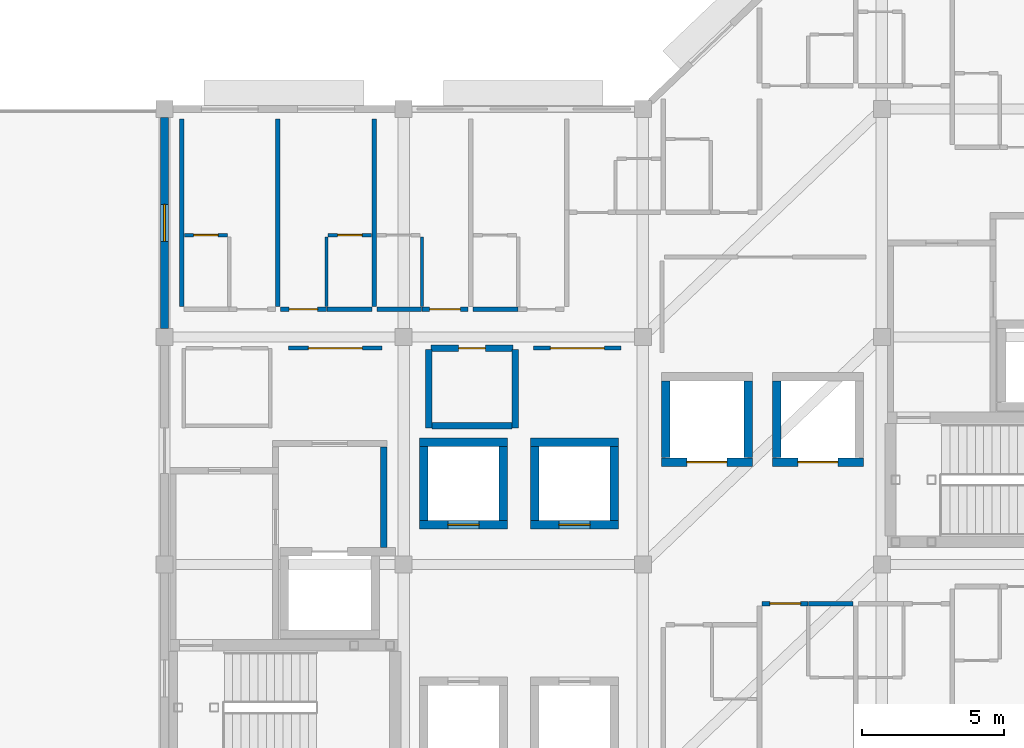
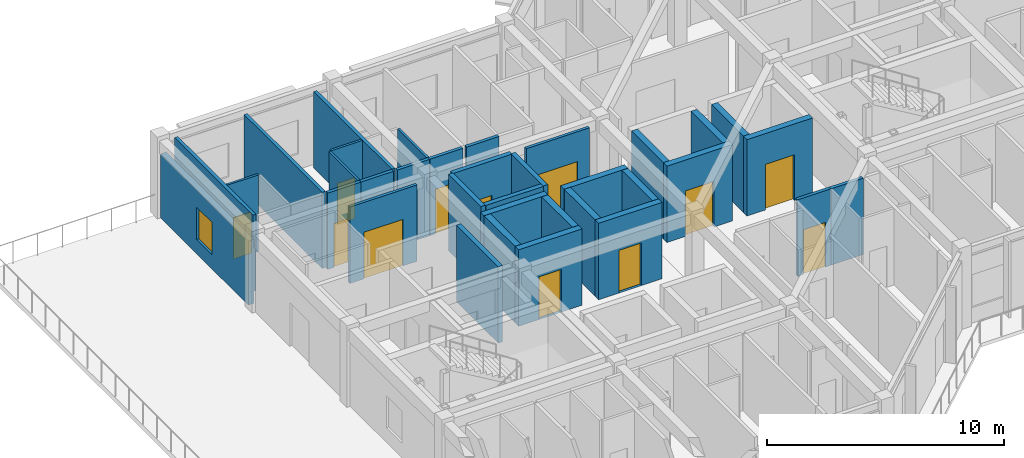
# One storey, part 6 of 13: 35 walls, 12 doors, 1 window, 13 openings.
"""IFC4 building model written with IfcOpenShell, lengths in metres."""

from ifc_helpers import new_model, si_unit, direction, frame, frame_2d, origin, place, context, subcontext, project, spatial, rectangle, extrude, material, layer, layer_set, type_object, element, fill, save


model = new_model("IFC4")

# Units and contexts
model_context = context("Model", 3, precision=1e-05, world=origin(), true_north=direction((0.0, 1.0)))
body_context = subcontext(model_context, "Body", "Model", "MODEL_VIEW")
ifc_project = project(units=[si_unit("LENGTHUNIT", "METRE"), si_unit("AREAUNIT", "SQUARE_METRE"), si_unit("VOLUMEUNIT", "CUBIC_METRE"), si_unit("PLANEANGLEUNIT", "RADIAN"), si_unit("MASSUNIT", "GRAM", prefix="KILO")], contexts=[model_context])

# Site, building, storey
site_placement = place(None, origin())
site = spatial("IfcSite", under=ifc_project, at=site_placement, CompositionType="ELEMENT")
building_placement = place(site_placement, origin())
building = spatial("IfcBuilding", under=site, at=building_placement, Name="Naruveol Harbour Congress Hotel", CompositionType="ELEMENT")
storey_placement = place(building_placement, frame((0.0, 0.0, 43.199951171875)))
storey = spatial("IfcBuildingStorey", under=building, at=storey_placement, Name="L10", CompositionType="ELEMENT", Elevation=43.199951171875)

# Wall, opening, door
ifc_material_1 = material(Name="Acoustic Double Stud Gypsum", Category="gypsum")
ifc_layer_1 = layer(ifc_material_1, 0.139892578125)
ifc_layer_set_1 = layer_set([ifc_layer_1], Name="Acoustic Double Stud Gypsum")
wall_type_1 = type_object("IfcWallType", Name="ACOUSTIC MEETING PARTITION WALL 140", PredefinedType="PARTITIONING", material=ifc_layer_set_1)
wall_1_placement = place(storey_placement, frame((138.9599609375, 23.60009765625, 0.0), z_axis=(0.0, 0.0, 1.0), x_axis=(1.0, 0.0, 0.0)))
wall_1 = element("IfcWall", 1, at=wall_1_placement, inside=storey, type_object=wall_type_1, Name="Diplomatic Sky Lounge north entry wall PW-140", PredefinedType="PARTITIONING", context=body_context, shape_type="SweptSolid", body=[
    extrude(rectangle(XDim=3.080078125, YDim=0.139892578125, at=frame_2d((1.5400390625, 0.0))), origin(), (0.0, 0.0, 1.0), 3.93505859375),
])
opening_1_placement = place(wall_1_placement, frame((0.590087890625, 0.0, 0.0)))
opening_1 = element("IfcOpeningElement", 2, at=opening_1_placement, cuts=wall_1, Name="Opening ID-LG-133", PredefinedType="OPENING", context=body_context, shape_type="SweptSolid", body=[
    extrude(rectangle(XDim=1.89990234375, YDim=2.39990234375, at=frame_2d((0.949951171875, 1.199951171875))), frame((0.0, 0.079833984375, 0.0), z_axis=(0.0, -1.0, 0.0), x_axis=(1.0, 0.0, 0.0)), (0.0, 0.0, 1.0), 0.159912109375),
])
ifc_material_2 = material(Name="Timber & Steel Acoustic Leaf", Category="steel")
door_type_1 = type_object("IfcDoorType", Name="RESTAURANT AND LOUNGE GLAZED DOOR 1900X2400", OperationType="DOUBLE_DOOR_SINGLE_SWING", PredefinedType="DOOR", material=ifc_material_2)
door_1_placement = place(opening_1_placement, origin())
door_1 = element("IfcDoor", 3, at=door_1_placement, inside=storey, type_object=door_type_1, Name="Diplomatic Sky Lounge Entrance Door", OperationType="DOUBLE_DOOR_SINGLE_SWING", OverallHeight=2.39990234375, OverallWidth=1.89990234375, PredefinedType="DOOR", context=body_context, shape_type="SweptSolid", body=[
    extrude(rectangle(XDim=1.89990234375, YDim=2.39990234375, at=frame_2d((0.949951171875, 1.199951171875))), frame((0.0, 0.02490234375, 0.0), z_axis=(0.0, -1.0, 0.0), x_axis=(1.0, 0.0, 0.0)), (0.0, 0.0, 1.0), 0.050048828125),
])
fill(opening_1, door_1)

wall_2_placement = place(storey_placement, frame((130.360107421875, 23.60009765625, 0.0), z_axis=(0.0, 0.0, 1.0), x_axis=(1.0, 0.0, 0.0)))
wall_2 = element("IfcWall", 4, at=wall_2_placement, inside=storey, type_object=wall_type_1, Name="Reading Salon north entry wall PW-140", PredefinedType="PARTITIONING", context=body_context, shape_type="SweptSolid", body=[
    extrude(rectangle(XDim=3.27978515625, YDim=0.139892578125, at=frame_2d((1.639892578125, 0.0))), origin(), (0.0, 0.0, 1.0), 3.93505859375),
])
opening_2_placement = place(wall_2_placement, frame((0.68994140625, 0.0, 0.0)))
opening_2 = element("IfcOpeningElement", 5, at=opening_2_placement, cuts=wall_2, Name="Opening ID-LG-134", PredefinedType="OPENING", context=body_context, shape_type="SweptSolid", body=[
    extrude(rectangle(XDim=1.89990234375, YDim=2.39990234375, at=frame_2d((0.949951171875, 1.199951171875))), frame((0.0, 0.079833984375, 0.0), z_axis=(0.0, -1.0, 0.0), x_axis=(1.0, 0.0, 0.0)), (0.0, 0.0, 1.0), 0.159912109375),
])
door_2_placement = place(opening_2_placement, origin())
door_2 = element("IfcDoor", 6, at=door_2_placement, inside=storey, type_object=door_type_1, Name="Reading Salon Entrance Door", OperationType="DOUBLE_DOOR_SINGLE_SWING", OverallHeight=2.39990234375, OverallWidth=1.89990234375, PredefinedType="DOOR", context=body_context, shape_type="SweptSolid", body=[
    extrude(rectangle(XDim=1.89990234375, YDim=2.39990234375, at=frame_2d((0.949951171875, 1.199951171875))), frame((0.0, 0.02490234375, 0.0), z_axis=(0.0, -1.0, 0.0), x_axis=(1.0, 0.0, 0.0)), (0.0, 0.0, 1.0), 0.050048828125),
])
fill(opening_2, door_2)

# Wall, opening, window
ifc_material_3 = material(Name="Precast concrete C40/50", Category="concrete")
ifc_layer_2 = layer(ifc_material_3, 0.280029296875)
ifc_layer_set_2 = layer_set([ifc_layer_2], Name="Precast concrete C40/50")
wall_type_2 = type_object("IfcWallType", Name="ARCHITECTURAL PRECAST FACADE WALL 280", PredefinedType="SOLIDWALL", material=ifc_layer_set_2)
wall_3_placement = place(storey_placement, frame((126.0, 24.300048828125, 0.0), z_axis=(0.0, 0.0, 1.0), x_axis=(0.0, 1.0, 0.0)))
wall_3 = element("IfcWall", 7, at=wall_3_placement, inside=storey, type_object=wall_type_2, Name="Hotel west gable wall L10 EW-280", PredefinedType="SOLIDWALL", context=body_context, shape_type="SweptSolid", body=[
    extrude(rectangle(XDim=7.39990234375, YDim=0.280029296875, at=frame_2d((3.699951171875, 0.0))), origin(), (0.0, 0.0, 1.0), 3.300048828125),
])
opening_3_placement = place(wall_3_placement, frame((3.050048828125, 0.0, 0.75)))
opening_3 = element("IfcOpeningElement", 8, at=opening_3_placement, cuts=wall_3, Name="Opening W-27", PredefinedType="OPENING", context=body_context, shape_type="SweptSolid", body=[
    extrude(rectangle(XDim=1.300048828125, YDim=1.64990234375, at=frame_2d((0.64990234375, 0.824951171875))), frame((0.0, 0.14990234375, 0.0), z_axis=(0.0, -1.0, 0.0), x_axis=(1.0, 0.0, 0.0)), (0.0, 0.0, 1.0), 0.300048828125),
])
ifc_material_4 = material(Name="Low-E Triple Glazing in Thermal Aluminium", Category="aluminium")
window_type = type_object("IfcWindowType", Name="READING SALON TALL WINDOW 1300X1650", PartitioningType="SINGLE_PANEL", PredefinedType="WINDOW", material=ifc_material_4)
window_placement = place(opening_3_placement, origin())
window = element("IfcWindow", 9, at=window_placement, inside=storey, type_object=window_type, Name="Window W-27 #504", OverallHeight=1.64990234375, OverallWidth=1.300048828125, PartitioningType="SINGLE_PANEL", PredefinedType="WINDOW", context=body_context, shape_type="SweptSolid", body=[
    extrude(rectangle(XDim=1.300048828125, YDim=1.64990234375, at=frame_2d((0.64990234375, 0.824951171875))), frame((0.0, 0.030029296875, 0.0), z_axis=(0.0, -1.0, 0.0), x_axis=(1.0, 0.0, 0.0)), (0.0, 0.0, 1.0), 0.06005859375),
])
fill(opening_3, window)

# Wall, opening, door
ifc_material_5 = material(Name="Moisture-Resistant Gypsum Partition", Category="gypsum")
ifc_layer_3 = layer(ifc_material_5, 0.114990234375)
ifc_layer_set_3 = layer_set([ifc_layer_3], Name="Moisture-Resistant Gypsum Partition")
wall_type_3 = type_object("IfcWallType", Name="BATHROOM MOISTURE PARTITION WALL 115", PredefinedType="PARTITIONING", material=ifc_layer_set_3)
wall_4_placement = place(storey_placement, frame((126.699951171875, 27.570068359375, 0.0), z_axis=(0.0, 0.0, 1.0), x_axis=(1.0, 0.0, 0.0)))
wall_4 = element("IfcWall", 10, at=wall_4_placement, inside=storey, type_object=wall_type_3, Name="Bathroom north wall 1193 PW-115", PredefinedType="PARTITIONING", context=body_context, shape_type="SweptSolid", body=[
    extrude(rectangle(XDim=1.510009765625, YDim=0.114990234375, at=frame_2d((0.7548828125, 0.0))), origin(), (0.0, 0.0, 1.0), 3.93505859375),
])
opening_4_placement = place(wall_4_placement, frame((0.324951171875, 0.0, 0.0)))
opening_4 = element("IfcOpeningElement", 11, at=opening_4_placement, cuts=wall_4, Name="Opening BD-RM1193", PredefinedType="OPENING", context=body_context, shape_type="SweptSolid", body=[
    extrude(rectangle(XDim=0.860107421875, YDim=2.1201171875, at=frame_2d((0.43017578125, 1.06005859375))), frame((0.0, 0.0673828125, 0.0), z_axis=(0.0, -1.0, 0.0), x_axis=(1.0, 0.0, 0.0)), (0.0, 0.0, 1.0), 0.135009765625),
])
ifc_material_6 = material(Name="Timber & Steel Acoustic Leaf", Category="steel")
door_type_2 = type_object("IfcDoorType", Name="GUEST BATHROOM DOOR 860X2120", OperationType="NOTDEFINED", PredefinedType="DOOR", material=ifc_material_6)
door_3_placement = place(opening_4_placement, origin())
door_3 = element("IfcDoor", 12, at=door_3_placement, inside=storey, type_object=door_type_2, Name="Bathroom Door 1193", OperationType="SINGLE_SWING_RIGHT", OverallHeight=2.1201171875, OverallWidth=0.860107421875, PredefinedType="DOOR", context=body_context, shape_type="SweptSolid", body=[
    extrude(rectangle(XDim=0.860107421875, YDim=2.1201171875, at=frame_2d((0.43017578125, 1.06005859375))), frame((0.0, 0.02490234375, 0.0), z_axis=(0.0, -1.0, 0.0), x_axis=(1.0, 0.0, 0.0)), (0.0, 0.0, 1.0), 0.050048828125),
])
fill(opening_4, door_3)

# Wall
wall_5_placement = place(storey_placement, frame((131.68994140625, 25.06005859375, 0.0), z_axis=(0.0, 0.0, 1.0), x_axis=(0.0, 1.0, 0.0)))
element("IfcWall", 13, at=wall_5_placement, inside=storey, type_object=wall_type_3, Name="Bathroom west wall 1194 PW-115", PredefinedType="PARTITIONING", context=body_context, shape_type="SweptSolid", body=[
    extrude(rectangle(XDim=2.449951171875, YDim=0.114990234375, at=frame_2d((1.22509765625, 0.0))), origin(), (0.0, 0.0, 1.0), 3.93505859375),
])

# Wall, opening, door
wall_6_placement = place(storey_placement, frame((131.75, 27.570068359375, 0.0), z_axis=(0.0, 0.0, 1.0), x_axis=(1.0, 0.0, 0.0)))
wall_6 = element("IfcWall", 14, at=wall_6_placement, inside=storey, type_object=wall_type_3, Name="Bathroom north wall 1194 PW-115", PredefinedType="PARTITIONING", context=body_context, shape_type="SweptSolid", body=[
    extrude(rectangle(XDim=1.52001953125, YDim=0.114990234375, at=frame_2d((0.760009765625, 0.0))), origin(), (0.0, 0.0, 1.0), 3.93505859375),
])
opening_5_placement = place(wall_6_placement, frame((0.330078125, 0.0, 0.0)))
opening_5 = element("IfcOpeningElement", 15, at=opening_5_placement, cuts=wall_6, Name="Opening BD-RM1194", PredefinedType="OPENING", context=body_context, shape_type="SweptSolid", body=[
    extrude(rectangle(XDim=0.860107421875, YDim=2.1201171875, at=frame_2d((0.43017578125, 1.06005859375))), frame((0.0, 0.0673828125, 0.0), z_axis=(0.0, -1.0, 0.0), x_axis=(1.0, 0.0, 0.0)), (0.0, 0.0, 1.0), 0.135009765625),
])
door_4_placement = place(opening_5_placement, origin())
door_4 = element("IfcDoor", 16, at=door_4_placement, inside=storey, type_object=door_type_2, Name="Bathroom Door 1194", OperationType="SINGLE_SWING_RIGHT", OverallHeight=2.1201171875, OverallWidth=0.860107421875, PredefinedType="DOOR", context=body_context, shape_type="SweptSolid", body=[
    extrude(rectangle(XDim=0.860107421875, YDim=2.1201171875, at=frame_2d((0.43017578125, 1.06005859375))), frame((0.0, 0.02490234375, 0.0), z_axis=(0.0, -1.0, 0.0), x_axis=(1.0, 0.0, 0.0)), (0.0, 0.0, 1.0), 0.050048828125),
])
fill(opening_5, door_4)

# Walls
wall_7_placement = place(storey_placement, frame((135.0400390625, 25.06005859375, 0.0), z_axis=(0.0, 0.0, 1.0), x_axis=(0.0, 1.0, 0.0)))
element("IfcWall", 17, at=wall_7_placement, inside=storey, type_object=wall_type_3, Name="Bathroom east wall 1195 PW-115", PredefinedType="PARTITIONING", context=body_context, shape_type="SweptSolid", body=[
    extrude(rectangle(XDim=2.449951171875, YDim=0.114990234375, at=frame_2d((1.22509765625, 0.0))), origin(), (0.0, 0.0, 1.0), 3.93505859375),
])
ifc_material_7 = material(Name="Concrete C40/50", Category="concrete")
ifc_layer_4 = layer(ifc_material_7, 0.219970703125)
ifc_layer_set_4 = layer_set([ifc_layer_4], Name="Concrete C40/50")
wall_type_4 = type_object("IfcWallType", Name="FIRE COMPARTMENT AND LOBBY WALL 220 EI120", PredefinedType="PARTITIONING", material=ifc_layer_set_4)
wall_8_placement = place(storey_placement, frame((133.699951171875, 16.60498046875, 0.0), z_axis=(0.0, 0.0, 1.0), x_axis=(0.0, 1.0, 0.0)))
element("IfcWall", 18, at=wall_8_placement, inside=storey, type_object=wall_type_4, Name="Firefighting lift lobby ST1 east wall FW-220", PredefinedType="PARTITIONING", context=body_context, shape_type="SweptSolid", body=[
    extrude(rectangle(XDim=3.530029296875, YDim=0.219970703125, at=frame_2d((1.76513671875, 0.0))), origin(), (0.0, 0.0, 1.0), 3.93505859375),
])

# Wall, opening, door
wall_9_placement = place(storey_placement, frame((135.360107421875, 23.60009765625, 0.0), z_axis=(0.0, 0.0, 1.0), x_axis=(1.0, 0.0, 0.0)))
wall_9 = element("IfcWall", 19, at=wall_9_placement, inside=storey, type_object=wall_type_4, Name="Housekeeping Pantry north entry wall FW-220", PredefinedType="PARTITIONING", context=body_context, shape_type="SweptSolid", body=[
    extrude(rectangle(XDim=2.8798828125, YDim=0.219970703125, at=frame_2d((1.43994140625, 0.0))), origin(), (0.0, 0.0, 1.0), 3.93505859375),
])
opening_6_placement = place(wall_9_placement, frame((0.969970703125, 0.0, 0.0)))
opening_6 = element("IfcOpeningElement", 20, at=opening_6_placement, cuts=wall_9, Name="Opening FD-ST-136", PredefinedType="OPENING", context=body_context, shape_type="SweptSolid", body=[
    extrude(rectangle(XDim=0.93994140625, YDim=2.14990234375, at=frame_2d((0.469970703125, 1.074951171875))), frame((0.0, 0.119873046875, 0.0), z_axis=(0.0, -1.0, 0.0), x_axis=(1.0, 0.0, 0.0)), (0.0, 0.0, 1.0), 0.239990234375),
])
ifc_material_8 = material(Name="Timber & Steel Acoustic Leaf", Category="steel")
door_type_3 = type_object("IfcDoorType", Name="HOUSEKEEPING AND STORE FIRE DOOR 940X2150", OperationType="NOTDEFINED", PredefinedType="DOOR", material=ifc_material_8)
door_5_placement = place(opening_6_placement, origin())
door_5 = element("IfcDoor", 21, at=door_5_placement, inside=storey, type_object=door_type_3, Name="Housekeeping Pantry Fire Door", OperationType="SINGLE_SWING_RIGHT", OverallHeight=2.14990234375, OverallWidth=0.93994140625, PredefinedType="DOOR", context=body_context, shape_type="SweptSolid", body=[
    extrude(rectangle(XDim=0.93994140625, YDim=2.14990234375, at=frame_2d((0.469970703125, 1.074951171875))), frame((0.0, 0.02490234375, 0.0), z_axis=(0.0, -1.0, 0.0), x_axis=(1.0, 0.0, 0.0)), (0.0, 0.0, 1.0), 0.050048828125),
])
fill(opening_6, door_5)

# Walls
for number, where, z_axis, x_axis, name in (
    (22, (135.280029296875, 20.800048828125, 0.0), (0.0, 0.0, 1.0), (0.0, 1.0, 0.0), "Housekeeping Pantry west enclosure partition FW-220"),
    (23, (138.320068359375, 20.800048828125, 0.0), (0.0, 0.0, 1.0), (0.0, 1.0, 0.0), "Housekeeping Pantry east enclosure partition FW-220"),
):
    element("IfcWall", number, at=place(storey_placement, frame(where, z_axis=z_axis, x_axis=x_axis)), inside=storey, type_object=wall_type_4, Name=name, PredefinedType="PARTITIONING", context=body_context, shape_type="SweptSolid", body=[
        extrude(rectangle(XDim=2.748046875, YDim=0.219970703125, at=frame_2d((1.3740234375, 0.0))), origin(), (0.0, 0.0, 1.0), 3.93505859375),
    ])
wall_10_placement = place(storey_placement, frame((135.389892578125, 20.8798828125, 0.0), z_axis=(0.0, 0.0, 1.0), x_axis=(1.0, 0.0, 0.0)))
element("IfcWall", 24, at=wall_10_placement, inside=storey, type_object=wall_type_4, Name="Housekeeping Pantry south enclosure partition FW-220", PredefinedType="PARTITIONING", context=body_context, shape_type="SweptSolid", body=[
    extrude(rectangle(XDim=2.820068359375, YDim=0.219970703125, at=frame_2d((1.41015625, 0.0))), origin(), (0.0, 0.0, 1.0), 3.93505859375),
])
ifc_material_9 = material(Name="Autoclaved Aerated Concrete Block", Category="concrete")
ifc_layer_5 = layer(ifc_material_9, 0.159912109375)
ifc_layer_set_5 = layer_set([ifc_layer_5], Name="Autoclaved Aerated Concrete Block")
wall_type_5 = type_object("IfcWallType", Name="HOTEL PARTY AND CORRIDOR WALL 160 EI60", PredefinedType="PARTITIONING", material=ifc_layer_set_5)
wall_11_placement = place(storey_placement, frame((126.60009765625, 25.06005859375, 0.0), z_axis=(0.0, 0.0, 1.0), x_axis=(0.0, 1.0, 0.0)))
element("IfcWall", 25, at=wall_11_placement, inside=storey, type_object=wall_type_5, Name="Hotel party wall 1193 PW-160", PredefinedType="PARTITIONING", context=body_context, shape_type="SweptSolid", body=[
    extrude(rectangle(XDim=6.599853515625, YDim=0.159912109375, at=frame_2d((3.2998046875, 0.0))), origin(), (0.0, 0.0, 1.0), 3.93505859375),
])

# Wall, opening, door
wall_12_placement = place(storey_placement, frame((130.070068359375, 24.969970703125, 0.0), z_axis=(0.0, 0.0, 1.0), x_axis=(1.0, 0.0, 0.0)))
wall_12 = element("IfcWall", 26, at=wall_12_placement, inside=storey, type_object=wall_type_5, Name="Corridor entry wall 1194 PW-160", PredefinedType="PARTITIONING", context=body_context, shape_type="SweptSolid", body=[
    extrude(rectangle(XDim=1.619873046875, YDim=0.159912109375, at=frame_2d((0.81005859375, 0.0))), origin(), (0.0, 0.0, 1.0), 3.93505859375),
])
opening_7_placement = place(wall_12_placement, frame((0.31005859375, 0.0, 0.0)))
opening_7 = element("IfcOpeningElement", 27, at=opening_7_placement, cuts=wall_12, Name="Opening FD-RM1194", PredefinedType="OPENING", context=body_context, shape_type="SweptSolid", body=[
    extrude(rectangle(XDim=1.0, YDim=2.25, at=frame_2d((0.5, 1.125))), frame((0.0, 0.08984375, 0.0), z_axis=(0.0, -1.0, 0.0), x_axis=(1.0, 0.0, 0.0)), (0.0, 0.0, 1.0), 0.179931640625),
])
ifc_material_10 = material(Name="Timber & Steel Acoustic Leaf", Category="steel")
door_type_4 = type_object("IfcDoorType", Name="DELUXE GUEST ENTRANCE FIRE DOOR 1000X2250", OperationType="NOTDEFINED", PredefinedType="DOOR", material=ifc_material_10)
door_6_placement = place(opening_7_placement, origin())
door_6 = element("IfcDoor", 28, at=door_6_placement, inside=storey, type_object=door_type_4, Name="Hotel Room Door 1194", OperationType="SINGLE_SWING_LEFT", OverallHeight=2.25, OverallWidth=1.0, PredefinedType="DOOR", context=body_context, shape_type="SweptSolid", body=[
    extrude(rectangle(XDim=1.0, YDim=2.25, at=frame_2d((0.5, 1.125))), frame((0.0, 0.02490234375, 0.0), z_axis=(0.0, -1.0, 0.0), x_axis=(1.0, 0.0, 0.0)), (0.0, 0.0, 1.0), 0.050048828125),
])
fill(opening_7, door_6)

# Walls
wall_13_placement = place(storey_placement, frame((131.699951171875, 24.969970703125, 0.0), z_axis=(0.0, 0.0, 1.0), x_axis=(1.0, 0.0, 0.0)))
element("IfcWall", 29, at=wall_13_placement, inside=storey, type_object=wall_type_5, Name="Corridor wall 1194B PW-160", PredefinedType="PARTITIONING", context=body_context, shape_type="SweptSolid", body=[
    extrude(rectangle(XDim=1.580078125, YDim=0.159912109375, at=frame_2d((0.7900390625, 0.0))), origin(), (0.0, 0.0, 1.0), 3.93505859375),
])
wall_14_placement = place(storey_placement, frame((129.97998046875, 25.06005859375, 0.0), z_axis=(0.0, 0.0, 1.0), x_axis=(0.0, 1.0, 0.0)))
element("IfcWall", 30, at=wall_14_placement, inside=storey, type_object=wall_type_5, Name="Hotel party wall 1194 PW-160", PredefinedType="PARTITIONING", context=body_context, shape_type="SweptSolid", body=[
    extrude(rectangle(XDim=6.599853515625, YDim=0.159912109375, at=frame_2d((3.2998046875, 0.0))), origin(), (0.0, 0.0, 1.0), 3.93505859375),
])
wall_15_placement = place(storey_placement, frame((133.4599609375, 24.969970703125, 0.0), z_axis=(0.0, 0.0, 1.0), x_axis=(1.0, 0.0, 0.0)))
element("IfcWall", 31, at=wall_15_placement, inside=storey, type_object=wall_type_5, Name="Corridor wall 1195B PW-160", PredefinedType="PARTITIONING", context=body_context, shape_type="SweptSolid", body=[
    extrude(rectangle(XDim=1.570068359375, YDim=0.159912109375, at=frame_2d((0.78515625, 0.0))), origin(), (0.0, 0.0, 1.0), 3.93505859375),
])

# Wall, opening, door
wall_16_placement = place(storey_placement, frame((135.0400390625, 24.969970703125, 0.0), z_axis=(0.0, 0.0, 1.0), x_axis=(1.0, 0.0, 0.0)))
wall_16 = element("IfcWall", 32, at=wall_16_placement, inside=storey, type_object=wall_type_5, Name="Corridor entry wall 1195 PW-160", PredefinedType="PARTITIONING", context=body_context, shape_type="SweptSolid", body=[
    extrude(rectangle(XDim=1.619873046875, YDim=0.159912109375, at=frame_2d((0.81005859375, 0.0))), origin(), (0.0, 0.0, 1.0), 3.93505859375),
])
opening_8_placement = place(wall_16_placement, frame((0.27001953125, 0.0, 0.0)))
opening_8 = element("IfcOpeningElement", 33, at=opening_8_placement, cuts=wall_16, Name="Opening FD-RM1195", PredefinedType="OPENING", context=body_context, shape_type="SweptSolid", body=[
    extrude(rectangle(XDim=1.080078125, YDim=2.300048828125, at=frame_2d((0.5400390625, 1.14990234375))), frame((0.0, 0.08984375, 0.0), z_axis=(0.0, -1.0, 0.0), x_axis=(1.0, 0.0, 0.0)), (0.0, 0.0, 1.0), 0.179931640625),
])
ifc_material_11 = material(Name="Timber & Steel Acoustic Leaf", Category="steel")
door_type_5 = type_object("IfcDoorType", Name="SUITE ENTRANCE FIRE DOOR 1080X2300", OperationType="NOTDEFINED", PredefinedType="DOOR", material=ifc_material_11)
door_7_placement = place(opening_8_placement, origin())
door_7 = element("IfcDoor", 34, at=door_7_placement, inside=storey, type_object=door_type_5, Name="Hotel Room Door 1195", OperationType="SINGLE_SWING_LEFT", OverallHeight=2.300048828125, OverallWidth=1.080078125, PredefinedType="DOOR", context=body_context, shape_type="SweptSolid", body=[
    extrude(rectangle(XDim=1.080078125, YDim=2.300048828125, at=frame_2d((0.5400390625, 1.14990234375))), frame((0.0, 0.02490234375, 0.0), z_axis=(0.0, -1.0, 0.0), x_axis=(1.0, 0.0, 0.0)), (0.0, 0.0, 1.0), 0.050048828125),
])
fill(opening_8, door_7)

# Walls
wall_17_placement = place(storey_placement, frame((133.3701171875, 25.06005859375, 0.0), z_axis=(0.0, 0.0, 1.0), x_axis=(0.0, 1.0, 0.0)))
element("IfcWall", 35, at=wall_17_placement, inside=storey, type_object=wall_type_5, Name="Hotel party wall 1195 PW-160", PredefinedType="PARTITIONING", context=body_context, shape_type="SweptSolid", body=[
    extrude(rectangle(XDim=6.599853515625, YDim=0.159912109375, at=frame_2d((3.2998046875, 0.0))), origin(), (0.0, 0.0, 1.0), 3.93505859375),
])
wall_18_placement = place(storey_placement, frame((136.840087890625, 24.969970703125, 0.0), z_axis=(0.0, 0.0, 1.0), x_axis=(1.0, 0.0, 0.0)))
element("IfcWall", 36, at=wall_18_placement, inside=storey, type_object=wall_type_5, Name="Corridor wall 1196B PW-160", PredefinedType="PARTITIONING", context=body_context, shape_type="SweptSolid", body=[
    extrude(rectangle(XDim=1.56982421875, YDim=0.159912109375, at=frame_2d((0.784912109375, 0.0))), origin(), (0.0, 0.0, 1.0), 3.93505859375),
])

# Wall, opening, door
wall_19_placement = place(storey_placement, frame((146.989990234375, 14.6298828125, 0.0), z_axis=(0.0, 0.0, 1.0), x_axis=(1.0, 0.0, 0.0)))
wall_19 = element("IfcWall", 37, at=wall_19_placement, inside=storey, type_object=wall_type_5, Name="Corridor entry wall 1187 PW-160", PredefinedType="PARTITIONING", context=body_context, shape_type="SweptSolid", body=[
    extrude(rectangle(XDim=1.6201171875, YDim=0.159912109375, at=frame_2d((0.81005859375, 0.0))), origin(), (0.0, 0.0, 1.0), 3.93505859375),
])
opening_9_placement = place(wall_19_placement, frame((0.27001953125, 0.0, 0.0)))
opening_9 = element("IfcOpeningElement", 38, at=opening_9_placement, cuts=wall_19, Name="Opening FD-RM1187", PredefinedType="OPENING", context=body_context, shape_type="SweptSolid", body=[
    extrude(rectangle(XDim=1.080078125, YDim=2.300048828125, at=frame_2d((0.5400390625, 1.14990234375))), frame((0.0, 0.08984375, 0.0), z_axis=(0.0, -1.0, 0.0), x_axis=(1.0, 0.0, 0.0)), (0.0, 0.0, 1.0), 0.179931640625),
])
door_8_placement = place(opening_9_placement, origin())
door_8 = element("IfcDoor", 39, at=door_8_placement, inside=storey, type_object=door_type_5, Name="Hotel Room Door 1187", OperationType="SINGLE_SWING_LEFT", OverallHeight=2.300048828125, OverallWidth=1.080078125, PredefinedType="DOOR", context=body_context, shape_type="SweptSolid", body=[
    extrude(rectangle(XDim=1.080078125, YDim=2.300048828125, at=frame_2d((0.5400390625, 1.14990234375))), frame((0.0, 0.02490234375, 0.0), z_axis=(0.0, -1.0, 0.0), x_axis=(1.0, 0.0, 0.0)), (0.0, 0.0, 1.0), 0.050048828125),
])
fill(opening_9, door_8)

# Wall
wall_20_placement = place(storey_placement, frame((148.6201171875, 14.6298828125, 0.0), z_axis=(0.0, 0.0, 1.0), x_axis=(1.0, 0.0, 0.0)))
element("IfcWall", 40, at=wall_20_placement, inside=storey, type_object=wall_type_5, Name="Corridor wall 1187B PW-160", PredefinedType="PARTITIONING", context=body_context, shape_type="SweptSolid", body=[
    extrude(rectangle(XDim=1.56982421875, YDim=0.159912109375, at=frame_2d((0.784912109375, 0.0))), origin(), (0.0, 0.0, 1.0), 3.93505859375),
])

# Wall, opening, door
ifc_material_12 = material(Name="Concrete C50/60", Category="concrete")
ifc_layer_6 = layer(ifc_material_12, 0.300048828125)
ifc_layer_set_6 = layer_set([ifc_layer_6], Name="Concrete C50/60")
wall_type_6 = type_object("IfcWallType", Name="RC STAIR AND HOISTWAY SHEAR WALL 300 EI120", PredefinedType="SHEAR", material=ifc_layer_set_6)
wall_21_placement = place(storey_placement, frame((134.949951171875, 17.39990234375, 0.0), z_axis=(0.0, 0.0, 1.0), x_axis=(1.0, 0.0, 0.0)))
wall_21 = element("IfcWall", 41, at=wall_21_placement, inside=storey, type_object=wall_type_6, Name="Hoistway south shear wall PL1 SW-300", PredefinedType="SHEAR", context=body_context, shape_type="SweptSolid", body=[
    extrude(rectangle(XDim=3.10009765625, YDim=0.300048828125, at=frame_2d((1.550048828125, 0.0))), origin(), (0.0, 0.0, 1.0), 3.93505859375),
])
opening_10_placement = place(wall_21_placement, frame((1.0, 0.0, 0.0)))
opening_10 = element("IfcOpeningElement", 42, at=opening_10_placement, cuts=wall_21, Name="Opening LD-PL1-L10", PredefinedType="OPENING", context=body_context, shape_type="SweptSolid", body=[
    extrude(rectangle(XDim=1.10009765625, YDim=2.199951171875, at=frame_2d((0.550048828125, 1.10009765625))), frame((0.0, 0.159912109375, 0.0), z_axis=(0.0, -1.0, 0.0), x_axis=(1.0, 0.0, 0.0)), (0.0, 0.0, 1.0), 0.320068359375),
])
ifc_material_13 = material(Name="Stainless Steel Lift Door", Category="steel")
door_type_6 = type_object("IfcDoorType", Name="PASSENGER LIFT LANDING DOOR 1100X2200", OperationType="DOUBLE_DOOR_SLIDING", PredefinedType="DOOR", material=ifc_material_13)
door_9_placement = place(opening_10_placement, origin())
door_9 = element("IfcDoor", 43, at=door_9_placement, inside=storey, type_object=door_type_6, Name="Elevator Landing Door PL1 L10", OperationType="DOUBLE_DOOR_SLIDING", OverallHeight=2.199951171875, OverallWidth=1.10009765625, PredefinedType="DOOR", context=body_context, shape_type="SweptSolid", body=[
    extrude(rectangle(XDim=1.10009765625, YDim=2.199951171875, at=frame_2d((0.550048828125, 1.10009765625))), frame((0.0, 0.02490234375, 0.0), z_axis=(0.0, -1.0, 0.0), x_axis=(1.0, 0.0, 0.0)), (0.0, 0.0, 1.0), 0.050048828125),
])
fill(opening_10, door_9)

# Walls
wall_22_placement = place(storey_placement, frame((137.89990234375, 17.554931640625, 0.0), z_axis=(0.0, 0.0, 1.0), x_axis=(0.0, 1.0, 0.0)))
element("IfcWall", 44, at=wall_22_placement, inside=storey, type_object=wall_type_6, Name="Hoistway east shear wall PL1 SW-300", PredefinedType="SHEAR", context=body_context, shape_type="SweptSolid", body=[
    extrude(rectangle(XDim=2.590087890625, YDim=0.300048828125, at=frame_2d((1.294921875, 0.0))), origin(), (0.0, 0.0, 1.0), 3.93505859375),
])
wall_23_placement = place(storey_placement, frame((138.050048828125, 20.300048828125, 0.0), z_axis=(0.0, 0.0, 1.0), x_axis=(-1.0, 0.0, 0.0)))
element("IfcWall", 45, at=wall_23_placement, inside=storey, type_object=wall_type_6, Name="Hoistway north shear wall PL1 SW-300", PredefinedType="SHEAR", context=body_context, shape_type="SweptSolid", body=[
    extrude(rectangle(XDim=3.10009765625, YDim=0.300048828125, at=frame_2d((1.550048828125, 0.0))), origin(), (0.0, 0.0, 1.0), 3.93505859375),
])
wall_24_placement = place(storey_placement, frame((135.10009765625, 20.14501953125, 0.0), z_axis=(0.0, 0.0, 1.0), x_axis=(0.0, -1.0, 0.0)))
element("IfcWall", 46, at=wall_24_placement, inside=storey, type_object=wall_type_6, Name="Hoistway west shear wall PL1 SW-300", PredefinedType="SHEAR", context=body_context, shape_type="SweptSolid", body=[
    extrude(rectangle(XDim=2.590087890625, YDim=0.300048828125, at=frame_2d((1.294921875, 0.0))), origin(), (0.0, 0.0, 1.0), 3.93505859375),
])

# Wall, opening, door
wall_25_placement = place(storey_placement, frame((138.85009765625, 17.39990234375, 0.0), z_axis=(0.0, 0.0, 1.0), x_axis=(1.0, 0.0, 0.0)))
wall_25 = element("IfcWall", 47, at=wall_25_placement, inside=storey, type_object=wall_type_6, Name="Hoistway south shear wall PL2 SW-300", PredefinedType="SHEAR", context=body_context, shape_type="SweptSolid", body=[
    extrude(rectangle(XDim=3.099853515625, YDim=0.300048828125, at=frame_2d((1.5498046875, 0.0))), origin(), (0.0, 0.0, 1.0), 3.93505859375),
])
opening_11_placement = place(wall_25_placement, frame((1.0, 0.0, 0.0)))
opening_11 = element("IfcOpeningElement", 48, at=opening_11_placement, cuts=wall_25, Name="Opening LD-PL2-L10", PredefinedType="OPENING", context=body_context, shape_type="SweptSolid", body=[
    extrude(rectangle(XDim=1.10009765625, YDim=2.199951171875, at=frame_2d((0.550048828125, 1.10009765625))), frame((0.0, 0.159912109375, 0.0), z_axis=(0.0, -1.0, 0.0), x_axis=(1.0, 0.0, 0.0)), (0.0, 0.0, 1.0), 0.320068359375),
])
door_10_placement = place(opening_11_placement, origin())
door_10 = element("IfcDoor", 49, at=door_10_placement, inside=storey, type_object=door_type_6, Name="Elevator Landing Door PL2 L10", OperationType="DOUBLE_DOOR_SLIDING", OverallHeight=2.199951171875, OverallWidth=1.10009765625, PredefinedType="DOOR", context=body_context, shape_type="SweptSolid", body=[
    extrude(rectangle(XDim=1.10009765625, YDim=2.199951171875, at=frame_2d((0.550048828125, 1.10009765625))), frame((0.0, 0.02490234375, 0.0), z_axis=(0.0, -1.0, 0.0), x_axis=(1.0, 0.0, 0.0)), (0.0, 0.0, 1.0), 0.050048828125),
])
fill(opening_11, door_10)

# Walls
wall_26_placement = place(storey_placement, frame((141.800048828125, 17.554931640625, 0.0), z_axis=(0.0, 0.0, 1.0), x_axis=(0.0, 1.0, 0.0)))
element("IfcWall", 50, at=wall_26_placement, inside=storey, type_object=wall_type_6, Name="Hoistway east shear wall PL2 SW-300", PredefinedType="SHEAR", context=body_context, shape_type="SweptSolid", body=[
    extrude(rectangle(XDim=2.590087890625, YDim=0.300048828125, at=frame_2d((1.294921875, 0.0))), origin(), (0.0, 0.0, 1.0), 3.93505859375),
])
wall_27_placement = place(storey_placement, frame((141.949951171875, 20.300048828125, 0.0), z_axis=(0.0, 0.0, 1.0), x_axis=(-1.0, 0.0, 0.0)))
element("IfcWall", 51, at=wall_27_placement, inside=storey, type_object=wall_type_6, Name="Hoistway north shear wall PL2 SW-300", PredefinedType="SHEAR", context=body_context, shape_type="SweptSolid", body=[
    extrude(rectangle(XDim=3.099853515625, YDim=0.300048828125, at=frame_2d((1.5498046875, 0.0))), origin(), (0.0, 0.0, 1.0), 3.93505859375),
])
wall_28_placement = place(storey_placement, frame((139.0, 20.14501953125, 0.0), z_axis=(0.0, 0.0, 1.0), x_axis=(0.0, -1.0, 0.0)))
element("IfcWall", 52, at=wall_28_placement, inside=storey, type_object=wall_type_6, Name="Hoistway west shear wall PL2 SW-300", PredefinedType="SHEAR", context=body_context, shape_type="SweptSolid", body=[
    extrude(rectangle(XDim=2.590087890625, YDim=0.300048828125, at=frame_2d((1.294921875, 0.0))), origin(), (0.0, 0.0, 1.0), 3.93505859375),
])

# Wall, opening, door
wall_29_placement = place(storey_placement, frame((143.449951171875, 19.60009765625, 0.0), z_axis=(0.0, 0.0, 1.0), x_axis=(1.0, 0.0, 0.0)))
wall_29 = element("IfcWall", 53, at=wall_29_placement, inside=storey, type_object=wall_type_6, Name="Hoistway south shear wall GL1 SW-300", PredefinedType="SHEAR", context=body_context, shape_type="SweptSolid", body=[
    extrude(rectangle(XDim=3.199951171875, YDim=0.300048828125, at=frame_2d((1.60009765625, 0.0))), origin(), (0.0, 0.0, 1.0), 3.93505859375),
])
opening_12_placement = place(wall_29_placement, frame((0.89990234375, 0.0, 0.0)))
opening_12 = element("IfcOpeningElement", 54, at=opening_12_placement, cuts=wall_29, Name="Opening LD-GL1-L10", PredefinedType="OPENING", context=body_context, shape_type="SweptSolid", body=[
    extrude(rectangle(XDim=1.39990234375, YDim=2.35009765625, at=frame_2d((0.699951171875, 1.175048828125))), frame((0.0, 0.159912109375, 0.0), z_axis=(0.0, -1.0, 0.0), x_axis=(1.0, 0.0, 0.0)), (0.0, 0.0, 1.0), 0.320068359375),
])
ifc_material_14 = material(Name="Stainless Steel Lift Door", Category="steel")
door_type_7 = type_object("IfcDoorType", Name="GOODS LIFT LANDING DOOR 1400X2350", OperationType="DOUBLE_DOOR_SLIDING", PredefinedType="DOOR", material=ifc_material_14)
door_11_placement = place(opening_12_placement, origin())
door_11 = element("IfcDoor", 55, at=door_11_placement, inside=storey, type_object=door_type_7, Name="Elevator Landing Door GL1 L10", OperationType="DOUBLE_DOOR_SLIDING", OverallHeight=2.35009765625, OverallWidth=1.39990234375, PredefinedType="DOOR", context=body_context, shape_type="SweptSolid", body=[
    extrude(rectangle(XDim=1.39990234375, YDim=2.35009765625, at=frame_2d((0.699951171875, 1.175048828125))), frame((0.0, 0.02490234375, 0.0), z_axis=(0.0, -1.0, 0.0), x_axis=(1.0, 0.0, 0.0)), (0.0, 0.0, 1.0), 0.050048828125),
])
fill(opening_12, door_11)

# Walls
for number, where, z_axis, x_axis, name in (
    (56, (146.5, 19.7548828125, 0.0), (0.0, 0.0, 1.0), (0.0, 1.0, 0.0), "Hoistway east shear wall GL1 SW-300"),
    (57, (143.60009765625, 22.445068359375, 0.0), (0.0, 0.0, 1.0), (0.0, -1.0, 0.0), "Hoistway west shear wall GL1 SW-300"),
):
    element("IfcWall", number, at=place(storey_placement, frame(where, z_axis=z_axis, x_axis=x_axis)), inside=storey, type_object=wall_type_6, Name=name, PredefinedType="SHEAR", context=body_context, shape_type="SweptSolid", body=[
        extrude(rectangle(XDim=2.690185546875, YDim=0.300048828125, at=frame_2d((1.34521484375, 0.0))), origin(), (0.0, 0.0, 1.0), 3.93505859375),
    ])

# Wall, opening, door
wall_30_placement = place(storey_placement, frame((147.35009765625, 19.60009765625, 0.0), z_axis=(0.0, 0.0, 1.0), x_axis=(1.0, 0.0, 0.0)))
wall_30 = element("IfcWall", 58, at=wall_30_placement, inside=storey, type_object=wall_type_6, Name="Hoistway south shear wall GL2 SW-300", PredefinedType="SHEAR", context=body_context, shape_type="SweptSolid", body=[
    extrude(rectangle(XDim=3.199951171875, YDim=0.300048828125, at=frame_2d((1.60009765625, 0.0))), origin(), (0.0, 0.0, 1.0), 3.93505859375),
])
opening_13_placement = place(wall_30_placement, frame((0.89990234375, 0.0, 0.0)))
opening_13 = element("IfcOpeningElement", 59, at=opening_13_placement, cuts=wall_30, Name="Opening LD-GL2-L10", PredefinedType="OPENING", context=body_context, shape_type="SweptSolid", body=[
    extrude(rectangle(XDim=1.39990234375, YDim=2.35009765625, at=frame_2d((0.699951171875, 1.175048828125))), frame((0.0, 0.159912109375, 0.0), z_axis=(0.0, -1.0, 0.0), x_axis=(1.0, 0.0, 0.0)), (0.0, 0.0, 1.0), 0.320068359375),
])
door_12_placement = place(opening_13_placement, origin())
door_12 = element("IfcDoor", 60, at=door_12_placement, inside=storey, type_object=door_type_7, Name="Elevator Landing Door GL2 L10", OperationType="DOUBLE_DOOR_SLIDING", OverallHeight=2.35009765625, OverallWidth=1.39990234375, PredefinedType="DOOR", context=body_context, shape_type="SweptSolid", body=[
    extrude(rectangle(XDim=1.39990234375, YDim=2.35009765625, at=frame_2d((0.699951171875, 1.175048828125))), frame((0.0, 0.02490234375, 0.0), z_axis=(0.0, -1.0, 0.0), x_axis=(1.0, 0.0, 0.0)), (0.0, 0.0, 1.0), 0.050048828125),
])
fill(opening_13, door_12)

# Wall
wall_31_placement = place(storey_placement, frame((147.5, 22.445068359375, 0.0), z_axis=(0.0, 0.0, 1.0), x_axis=(0.0, -1.0, 0.0)))
element("IfcWall", 61, at=wall_31_placement, inside=storey, type_object=wall_type_6, Name="Hoistway west shear wall GL2 SW-300", PredefinedType="SHEAR", context=body_context, shape_type="SweptSolid", body=[
    extrude(rectangle(XDim=2.690185546875, YDim=0.300048828125, at=frame_2d((1.34521484375, 0.0))), origin(), (0.0, 0.0, 1.0), 3.93505859375),
])

save(model, "model.ifc")
